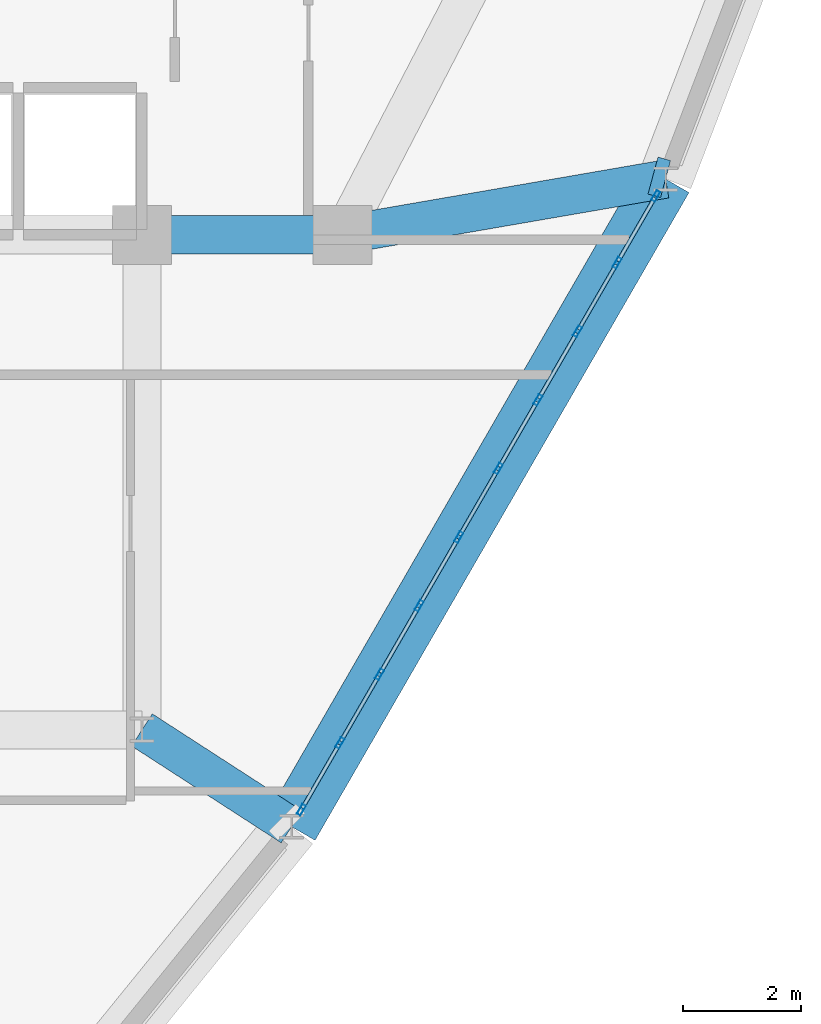
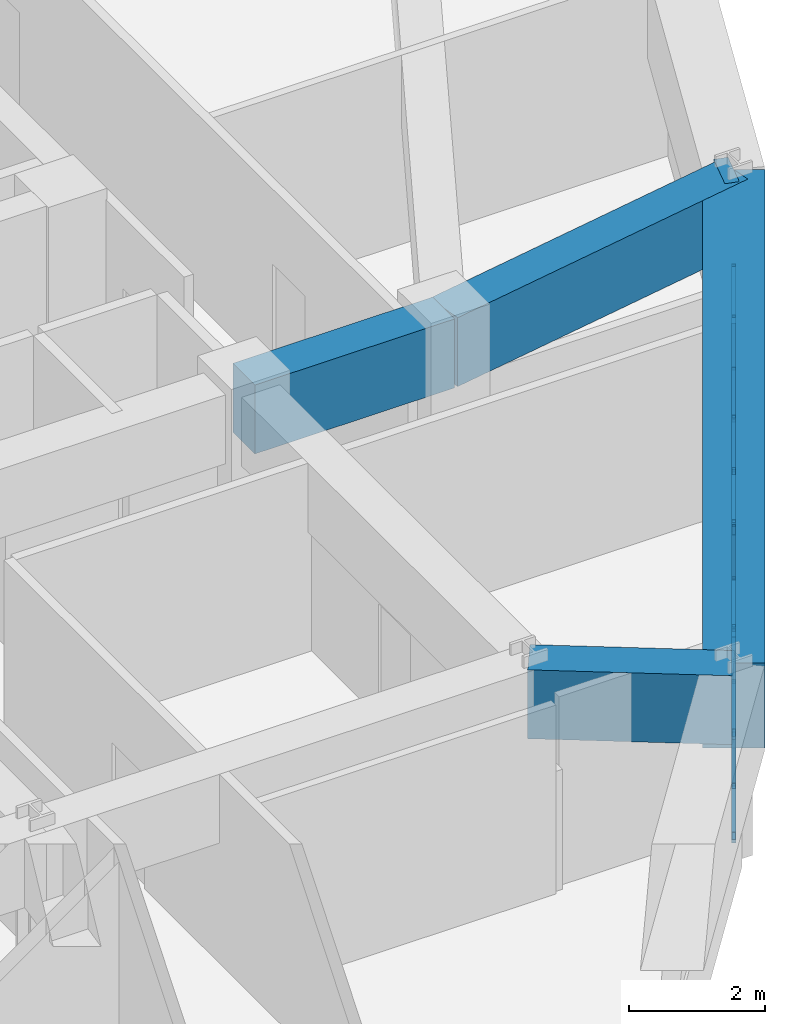
# One storey, part 6 of 14: 31 members, 5 beams, 1 element without a shape of its own.
"""IFC4 building model written with IfcOpenShell, lengths in metres."""

from ifc_helpers import new_model, si_unit, derived_unit, direction, frame, origin, origin_2d, place, context, subcontext, project, spatial, rectangle, hollow_rectangle, extrude, source, transform, mapped, material, layer, layer_set, material_profile, profile_set, type_object, element, aggregate, save


model = new_model("IFC4")

# Units and contexts
model_context = context("Model", 3, precision=1e-05, world=origin(), true_north=direction((0.0, 1.0)))
body_context = subcontext(model_context, "Body", "Model", "MODEL_VIEW")
ifc_project = project(units=[si_unit("LENGTHUNIT", "METRE"), si_unit("AREAUNIT", "SQUARE_METRE"), si_unit("VOLUMEUNIT", "CUBIC_METRE"), si_unit("PLANEANGLEUNIT", "RADIAN"), si_unit("MASSUNIT", "GRAM", prefix="KILO"), derived_unit("THERMALTRANSMITTANCEUNIT", [(si_unit("POWERUNIT", "WATT"), 1), (si_unit("LENGTHUNIT", "METRE"), -2), (si_unit("THERMODYNAMICTEMPERATUREUNIT", "KELVIN"), -1)])], contexts=[model_context])

# Site, building, storey
site_placement = place(None, origin())
site = spatial("IfcSite", under=ifc_project, at=site_placement, CompositionType="ELEMENT")
building_placement = place(site_placement, origin())
building = spatial("IfcBuilding", under=site, at=building_placement, Name="Korsvarv Bourse and Concert Hall", CompositionType="ELEMENT")
storey_placement = place(building_placement, frame((0.0, 0.0, 175.800048828125)))
storey = spatial("IfcBuildingStorey", under=building, at=storey_placement, Name="L45", CompositionType="ELEMENT", Elevation=175.800048828125)

# Beams
ifc_material_1 = material(Name="Concrete C50/60", Category="concrete")
ifc_material_profile_1 = material_profile(ifc_material_1, rectangle(XDim=0.64990234375, YDim=1.239990234375, at=origin_2d()), Name="RC-BM 650x1240")
ifc_profile_set_1 = profile_set([ifc_material_profile_1], Name="Concrete C50/60")
beam_type_1 = type_object("IfcBeamType", Name="BM-TR-SPN", PredefinedType="BEAM", material=ifc_profile_set_1)
shared_shape_1 = source(origin(), body_context, "Body", "SweptSolid", [
    extrude(rectangle(XDim=0.64990234375, YDim=1.239990234375, at=origin_2d()), origin(), (0.0, 0.0, 1.0), 3.400146484375),
])
beam_1_placement = place(storey_placement, frame((44.39990234375, 32.39990234375, 2.780029296875), z_axis=(1.0, 0.0, 0.0), x_axis=(0.0, 1.0, 0.0)))
element("IfcBeam", 1, at=beam_1_placement, inside=storey, type_object=beam_type_1, Name="L45 beam B-TRS", PredefinedType="BEAM", context=body_context, shape_type="MappedRepresentation", body=[
    mapped(shared_shape_1, transform((0.0, 0.0, 0.0), scale=1.0)),
])
ifc_material_profile_2 = material_profile(ifc_material_1, rectangle(XDim=0.919921875, YDim=1.530029296875, at=origin_2d()), Name="RC-BM 920x1530")
ifc_profile_set_2 = profile_set([ifc_material_profile_2], Name="Concrete C50/60")
beam_type_2 = type_object("IfcBeamType", Name="BM-TR-154", PredefinedType="BEAM", material=ifc_profile_set_2)
shared_shape_2 = source(origin(), body_context, "Body", "SweptSolid", [
    extrude(rectangle(XDim=0.919921875, YDim=1.530029296875, at=origin_2d()), origin(), (0.0, 0.0, 1.0), 12.692138671875),
])
beam_2_placement = place(storey_placement, frame((46.939697265625, 22.356201171875, 2.635009765625), z_axis=(0.499993308569, 0.866029267049, 0.0), x_axis=(-0.866029267049, 0.499993308569, 0.0)))
element("IfcBeam", 2, at=beam_2_placement, inside=storey, type_object=beam_type_2, Name="L45 beam B-TR6", PredefinedType="BEAM", context=body_context, shape_type="MappedRepresentation", body=[
    mapped(shared_shape_2, transform((0.0, 0.0, 0.0), scale=1.0)),
])
shared_shape_3 = source(origin(), body_context, "Body", "SweptSolid", [
    extrude(rectangle(XDim=0.64990234375, YDim=1.239990234375, at=origin_2d()), origin(), (0.0, 0.0, 1.0), 5.56689453125),
])
beam_3_placement = place(storey_placement, frame((53.28564453125, 33.347900390625, 2.780029296875), z_axis=(-0.985393700019, -0.170291679077, 0.0), x_axis=(0.170291679077, -0.985393700019, 0.0)))
element("IfcBeam", 3, at=beam_3_placement, inside=storey, type_object=beam_type_1, Name="L45 beam B-TRS", PredefinedType="BEAM", context=body_context, shape_type="MappedRepresentation", body=[
    mapped(shared_shape_3, transform((0.0, 0.0, 0.0), scale=1.0)),
])
shared_shape_4 = source(origin(), body_context, "Body", "SweptSolid", [
    extrude(rectangle(XDim=0.64990234375, YDim=1.239990234375, at=origin_2d()), origin(), (0.0, 0.0, 1.0), 3.025390625),
])
beam_4_placement = place(storey_placement, frame((46.939697265625, 22.356201171875, 2.780029296875), z_axis=(-0.839509529418, 0.543344964104, 0.0), x_axis=(-0.543344964104, -0.839509529418, 0.0)))
element("IfcBeam", 4, at=beam_4_placement, inside=storey, type_object=beam_type_1, Name="L45 beam B-TRS", PredefinedType="BEAM", context=body_context, shape_type="MappedRepresentation", body=[
    mapped(shared_shape_4, transform((0.0, 0.0, 0.0), scale=1.0)),
])
shared_shape_5 = source(origin(), body_context, "Body", "SweptSolid", [
    extrude(rectangle(XDim=0.64990234375, YDim=1.239990234375, at=origin_2d()), origin(), (0.0, 0.0, 1.0), 0.220703125),
])
beam_5_placement = place(storey_placement, frame((53.28564453125, 33.347900390625, 2.780029296875), z_axis=(-0.965348336517, 0.260964727856, 0.0), x_axis=(-0.260964727856, -0.965348336517, 0.0)))
element("IfcBeam", 5, at=beam_5_placement, inside=storey, type_object=beam_type_1, Name="L45 beam B-TRS", PredefinedType="BEAM", context=body_context, shape_type="MappedRepresentation", body=[
    mapped(shared_shape_5, transform((0.0, 0.0, 0.0), scale=1.0)),
])

# Curtain wall, members
ifc_material_2 = material(Name="Anodised aluminium and triple low-E glazing", Category="glass")
ifc_layer = layer(ifc_material_2, 0.199951171875)
ifc_layer_set = layer_set([ifc_layer], Name="Anodised aluminium and triple low-E glazing")
curtain_wall_type = type_object("IfcCurtainWallType", Name="CW-SYS-3", PredefinedType="NOTDEFINED", material=ifc_layer_set)
curtain_wall_placement = place(storey_placement, origin())
curtain_wall = element("IfcCurtainWall", 6, at=curtain_wall_placement, inside=storey, type_object=curtain_wall_type, Name="L45 CW3 curtain wall CW-L45-F11", PredefinedType="NOTDEFINED")
ifc_material_3 = material(Name="Extruded aluminium EN AW-6063 T66", Category="aluminium")
ifc_material_profile_3 = material_profile(ifc_material_3, hollow_rectangle(XDim=0.070068359375, YDim=0.18994140625, WallThickness=0.0048828125, at=origin_2d()), Name="ALU-M 70x190")
ifc_profile_set_3 = profile_set([ifc_material_profile_3], Name="Extruded aluminium EN AW-6063 T66")
member_type_1 = type_object("IfcMemberType", Name="CWM-190", PredefinedType="MULLION", material=ifc_profile_set_3)
shared_shape_6 = source(origin(), body_context, "Body", "SweptSolid", [
    extrude(hollow_rectangle(XDim=0.070068359375, YDim=0.18994140625, WallThickness=0.0048828125, at=origin_2d()), origin(), (0.0, 0.0, 1.0), 1.869873046875),
])
member_1_placement = place(storey_placement, frame((47.106201171875, 22.64453125, 0.0), z_axis=(0.0, 0.0, 1.0), x_axis=(-0.866028642731, 0.499994389938, 0.0)))
member_1 = element("IfcMember", 7, at=member_1_placement, type_object=member_type_1, Name="CW3 mullion 1", PredefinedType="MULLION", context=body_context, shape_type="MappedRepresentation", body=[
    mapped(shared_shape_6, transform((0.0, 0.0, 0.0), scale=1.0)),
])
member_2_placement = place(storey_placement, frame((47.760498046875, 23.7783203125, 0.0), z_axis=(0.0, 0.0, 1.0), x_axis=(-0.866028642731, 0.499994389938, 0.0)))
member_2 = element("IfcMember", 8, at=member_2_placement, type_object=member_type_1, Name="CW3 mullion 2", PredefinedType="MULLION", context=body_context, shape_type="MappedRepresentation", body=[
    mapped(shared_shape_6, transform((0.0, 0.0, 0.0), scale=1.0)),
])
member_3_placement = place(storey_placement, frame((48.4326171875, 24.942138671875, 0.0), z_axis=(0.0, 0.0, 1.0), x_axis=(-0.866028642731, 0.499994389938, 0.0)))
member_3 = element("IfcMember", 9, at=member_3_placement, type_object=member_type_1, Name="CW3 mullion 3", PredefinedType="MULLION", context=body_context, shape_type="MappedRepresentation", body=[
    mapped(shared_shape_6, transform((0.0, 0.0, 0.0), scale=1.0)),
])
member_4_placement = place(storey_placement, frame((49.1044921875, 26.106201171875, 0.0), z_axis=(0.0, 0.0, 1.0), x_axis=(-0.866028642731, 0.499994389938, 0.0)))
member_4 = element("IfcMember", 10, at=member_4_placement, type_object=member_type_1, Name="CW3 mullion 4", PredefinedType="MULLION", context=body_context, shape_type="MappedRepresentation", body=[
    mapped(shared_shape_6, transform((0.0, 0.0, 0.0), scale=1.0)),
])
member_5_placement = place(storey_placement, frame((49.776611328125, 27.27001953125, 0.0), z_axis=(0.0, 0.0, 1.0), x_axis=(-0.866028642731, 0.499994389938, 0.0)))
member_5 = element("IfcMember", 11, at=member_5_placement, type_object=member_type_1, Name="CW3 mullion 5", PredefinedType="MULLION", context=body_context, shape_type="MappedRepresentation", body=[
    mapped(shared_shape_6, transform((0.0, 0.0, 0.0), scale=1.0)),
])
member_6_placement = place(storey_placement, frame((50.448486328125, 28.43408203125, 0.0), z_axis=(0.0, 0.0, 1.0), x_axis=(-0.866028642731, 0.499994389938, 0.0)))
member_6 = element("IfcMember", 12, at=member_6_placement, type_object=member_type_1, Name="CW3 mullion 6", PredefinedType="MULLION", context=body_context, shape_type="MappedRepresentation", body=[
    mapped(shared_shape_6, transform((0.0, 0.0, 0.0), scale=1.0)),
])
member_7_placement = place(storey_placement, frame((51.12060546875, 29.59814453125, 0.0), z_axis=(0.0, 0.0, 1.0), x_axis=(-0.866028642731, 0.499994389938, 0.0)))
member_7 = element("IfcMember", 13, at=member_7_placement, type_object=member_type_1, Name="CW3 mullion 7", PredefinedType="MULLION", context=body_context, shape_type="MappedRepresentation", body=[
    mapped(shared_shape_6, transform((0.0, 0.0, 0.0), scale=1.0)),
])
member_8_placement = place(storey_placement, frame((51.79248046875, 30.761962890625, 0.0), z_axis=(0.0, 0.0, 1.0), x_axis=(-0.866028642731, 0.499994389938, 0.0)))
member_8 = element("IfcMember", 14, at=member_8_placement, type_object=member_type_1, Name="CW3 mullion 8", PredefinedType="MULLION", context=body_context, shape_type="MappedRepresentation", body=[
    mapped(shared_shape_6, transform((0.0, 0.0, 0.0), scale=1.0)),
])
member_9_placement = place(storey_placement, frame((52.464599609375, 31.926025390625, 0.0), z_axis=(0.0, 0.0, 1.0), x_axis=(-0.866028642731, 0.499994389938, 0.0)))
member_9 = element("IfcMember", 15, at=member_9_placement, type_object=member_type_1, Name="CW3 mullion 9", PredefinedType="MULLION", context=body_context, shape_type="MappedRepresentation", body=[
    mapped(shared_shape_6, transform((0.0, 0.0, 0.0), scale=1.0)),
])
member_10_placement = place(storey_placement, frame((53.119140625, 33.0595703125, 0.0), z_axis=(0.0, 0.0, 1.0), x_axis=(-0.866028642731, 0.499994389938, 0.0)))
member_10 = element("IfcMember", 16, at=member_10_placement, type_object=member_type_1, Name="CW3 mullion 10", PredefinedType="MULLION", context=body_context, shape_type="MappedRepresentation", body=[
    mapped(shared_shape_6, transform((0.0, 0.0, 0.0), scale=1.0)),
])
ifc_material_profile_4 = material_profile(ifc_material_3, hollow_rectangle(XDim=0.06494140625, YDim=0.139892578125, WallThickness=0.00390625, at=origin_2d()), Name="ALU-T 65x140")
ifc_profile_set_4 = profile_set([ifc_material_profile_4], Name="Extruded aluminium EN AW-6063 T66")
member_type_2 = type_object("IfcMemberType", Name="CWT-140", PredefinedType="USERDEFINED", material=ifc_profile_set_4)
shared_shape_7 = source(origin(), body_context, "Body", "SweptSolid", [
    extrude(hollow_rectangle(XDim=0.06494140625, YDim=0.139892578125, WallThickness=0.00390625, at=origin_2d()), origin(), (0.0, 0.0, 1.0), 1.239013671875),
])
member_11_placement = place(storey_placement, frame((52.482177734375, 31.956298828125, 0.032470703125), z_axis=(0.499932836684, 0.86606417707, 0.0), x_axis=(-0.86606417707, 0.499932836684, 0.0)))
member_11 = element("IfcMember", 17, at=member_11_placement, type_object=member_type_2, Name="CW3 transom 9.1", ObjectType="TRANSOM", PredefinedType="USERDEFINED", context=body_context, shape_type="MappedRepresentation", body=[
    mapped(shared_shape_7, transform((0.0, 0.0, 0.0), scale=1.0)),
])
member_12_placement = place(storey_placement, frame((52.482177734375, 31.956298828125, 1.83740234375), z_axis=(0.499932836684, 0.86606417707, 0.0), x_axis=(-0.86606417707, 0.499932836684, 0.0)))
member_12 = element("IfcMember", 18, at=member_12_placement, type_object=member_type_2, Name="CW3 transom 9.2", ObjectType="TRANSOM", PredefinedType="USERDEFINED", context=body_context, shape_type="MappedRepresentation", body=[
    mapped(shared_shape_7, transform((0.0, 0.0, 0.0), scale=1.0)),
])
shared_shape_8 = source(origin(), body_context, "Body", "SweptSolid", [
    extrude(hollow_rectangle(XDim=0.06494140625, YDim=0.139892578125, WallThickness=0.00390625, at=origin_2d()), origin(), (0.0, 0.0, 1.0), 1.274169921875),
])
member_13_placement = place(storey_placement, frame((48.4501953125, 24.972412109375, 0.032470703125), z_axis=(0.499910436417, 0.866077107169, 0.0), x_axis=(-0.866077107169, 0.499910436417, 0.0)))
member_13 = element("IfcMember", 19, at=member_13_placement, type_object=member_type_2, Name="CW3 transom 3.1", ObjectType="TRANSOM", PredefinedType="USERDEFINED", context=body_context, shape_type="MappedRepresentation", body=[
    mapped(shared_shape_8, transform((0.0, 0.0, 0.0), scale=1.0)),
])
member_14_placement = place(storey_placement, frame((48.4501953125, 24.972412109375, 1.83740234375), z_axis=(0.499910436417, 0.866077107169, 0.0), x_axis=(-0.866077107169, 0.499910436417, 0.0)))
member_14 = element("IfcMember", 20, at=member_14_placement, type_object=member_type_2, Name="CW3 transom 3.2", ObjectType="TRANSOM", PredefinedType="USERDEFINED", context=body_context, shape_type="MappedRepresentation", body=[
    mapped(shared_shape_8, transform((0.0, 0.0, 0.0), scale=1.0)),
])
member_15_placement = place(storey_placement, frame((51.81005859375, 30.792236328125, 0.032470703125), z_axis=(0.499910436417, 0.866077107169, 0.0), x_axis=(-0.866077107169, 0.499910436417, 0.0)))
member_15 = element("IfcMember", 21, at=member_15_placement, type_object=member_type_2, Name="CW3 transom 8.1", ObjectType="TRANSOM", PredefinedType="USERDEFINED", context=body_context, shape_type="MappedRepresentation", body=[
    mapped(shared_shape_8, transform((0.0, 0.0, 0.0), scale=1.0)),
])
member_16_placement = place(storey_placement, frame((51.81005859375, 30.792236328125, 1.83740234375), z_axis=(0.499910436417, 0.866077107169, 0.0), x_axis=(-0.866077107169, 0.499910436417, 0.0)))
member_16 = element("IfcMember", 22, at=member_16_placement, type_object=member_type_2, Name="CW3 transom 8.2", ObjectType="TRANSOM", PredefinedType="USERDEFINED", context=body_context, shape_type="MappedRepresentation", body=[
    mapped(shared_shape_8, transform((0.0, 0.0, 0.0), scale=1.0)),
])
ifc_material_profile_5 = material_profile(ifc_material_3, hollow_rectangle(XDim=0.06494140625, YDim=0.1650390625, WallThickness=0.0048828125, at=origin_2d()), Name="ALU-M 65x165")
ifc_profile_set_5 = profile_set([ifc_material_profile_5], Name="Extruded aluminium EN AW-6063 T66")
member_type_3 = type_object("IfcMemberType", Name="CWM-165", PredefinedType="MULLION", material=ifc_profile_set_5)
shared_shape_9 = source(origin(), body_context, "Body", "SweptSolid", [
    extrude(hollow_rectangle(XDim=0.06494140625, YDim=0.1650390625, WallThickness=0.0048828125, at=origin_2d()), origin(), (0.0, 0.0, 1.0), 2.15673828125),
])
member_17_placement = place(storey_placement, frame((51.81005859375, 30.792236328125, 0.06494140625), z_axis=(0.295351616282, 0.511686203754, 0.806811410211), x_axis=(-0.866077107169, 0.499910436417, 0.0)))
member_17 = element("IfcMember", 23, at=member_17_placement, type_object=member_type_3, Name="CW3 diagonal mullion 8", PredefinedType="MULLION", context=body_context, shape_type="MappedRepresentation", body=[
    mapped(shared_shape_9, transform((0.0, 0.0, 0.0), scale=1.0)),
])
shared_shape_10 = source(origin(), body_context, "Body", "SweptSolid", [
    extrude(hollow_rectangle(XDim=0.06494140625, YDim=0.139892578125, WallThickness=0.00390625, at=origin_2d()), origin(), (0.0, 0.0, 1.0), 1.27392578125),
])
member_18_placement = place(storey_placement, frame((47.778076171875, 23.80859375, 0.032470703125), z_axis=(0.499993407537, 0.866029209911, 0.0), x_axis=(-0.866029209911, 0.499993407537, 0.0)))
member_18 = element("IfcMember", 24, at=member_18_placement, type_object=member_type_2, Name="CW3 transom 2.1", ObjectType="TRANSOM", PredefinedType="USERDEFINED", context=body_context, shape_type="MappedRepresentation", body=[
    mapped(shared_shape_10, transform((0.0, 0.0, 0.0), scale=1.0)),
])
member_19_placement = place(storey_placement, frame((47.778076171875, 23.80859375, 1.83740234375), z_axis=(0.499993407537, 0.866029209911, 0.0), x_axis=(-0.866029209911, 0.499993407537, 0.0)))
member_19 = element("IfcMember", 25, at=member_19_placement, type_object=member_type_2, Name="CW3 transom 2.2", ObjectType="TRANSOM", PredefinedType="USERDEFINED", context=body_context, shape_type="MappedRepresentation", body=[
    mapped(shared_shape_10, transform((0.0, 0.0, 0.0), scale=1.0)),
])
member_20_placement = place(storey_placement, frame((49.1220703125, 26.136474609375, 0.032470703125), z_axis=(0.499993407537, 0.866029209911, 0.0), x_axis=(-0.866029209911, 0.499993407537, 0.0)))
member_20 = element("IfcMember", 26, at=member_20_placement, type_object=member_type_2, Name="CW3 transom 4.1", ObjectType="TRANSOM", PredefinedType="USERDEFINED", context=body_context, shape_type="MappedRepresentation", body=[
    mapped(shared_shape_10, transform((0.0, 0.0, 0.0), scale=1.0)),
])
member_21_placement = place(storey_placement, frame((49.1220703125, 26.136474609375, 1.83740234375), z_axis=(0.499993407537, 0.866029209911, 0.0), x_axis=(-0.866029209911, 0.499993407537, 0.0)))
member_21 = element("IfcMember", 27, at=member_21_placement, type_object=member_type_2, Name="CW3 transom 4.2", ObjectType="TRANSOM", PredefinedType="USERDEFINED", context=body_context, shape_type="MappedRepresentation", body=[
    mapped(shared_shape_10, transform((0.0, 0.0, 0.0), scale=1.0)),
])
member_22_placement = place(storey_placement, frame((49.794189453125, 27.300537109375, 0.032470703125), z_axis=(0.499993407537, 0.866029209911, 0.0), x_axis=(-0.866029209911, 0.499993407537, 0.0)))
member_22 = element("IfcMember", 28, at=member_22_placement, type_object=member_type_2, Name="CW3 transom 5.1", ObjectType="TRANSOM", PredefinedType="USERDEFINED", context=body_context, shape_type="MappedRepresentation", body=[
    mapped(shared_shape_10, transform((0.0, 0.0, 0.0), scale=1.0)),
])
member_23_placement = place(storey_placement, frame((49.794189453125, 27.300537109375, 1.83740234375), z_axis=(0.499993407537, 0.866029209911, 0.0), x_axis=(-0.866029209911, 0.499993407537, 0.0)))
member_23 = element("IfcMember", 29, at=member_23_placement, type_object=member_type_2, Name="CW3 transom 5.2", ObjectType="TRANSOM", PredefinedType="USERDEFINED", context=body_context, shape_type="MappedRepresentation", body=[
    mapped(shared_shape_10, transform((0.0, 0.0, 0.0), scale=1.0)),
])
member_24_placement = place(storey_placement, frame((50.466064453125, 28.46435546875, 0.032470703125), z_axis=(0.499993407537, 0.866029209911, 0.0), x_axis=(-0.866029209911, 0.499993407537, 0.0)))
member_24 = element("IfcMember", 30, at=member_24_placement, type_object=member_type_2, Name="CW3 transom 6.1", ObjectType="TRANSOM", PredefinedType="USERDEFINED", context=body_context, shape_type="MappedRepresentation", body=[
    mapped(shared_shape_10, transform((0.0, 0.0, 0.0), scale=1.0)),
])
member_25_placement = place(storey_placement, frame((50.466064453125, 28.46435546875, 1.83740234375), z_axis=(0.499993407537, 0.866029209911, 0.0), x_axis=(-0.866029209911, 0.499993407537, 0.0)))
member_25 = element("IfcMember", 31, at=member_25_placement, type_object=member_type_2, Name="CW3 transom 6.2", ObjectType="TRANSOM", PredefinedType="USERDEFINED", context=body_context, shape_type="MappedRepresentation", body=[
    mapped(shared_shape_10, transform((0.0, 0.0, 0.0), scale=1.0)),
])
member_26_placement = place(storey_placement, frame((51.13818359375, 29.62841796875, 0.032470703125), z_axis=(0.499993407537, 0.866029209911, 0.0), x_axis=(-0.866029209911, 0.499993407537, 0.0)))
member_26 = element("IfcMember", 32, at=member_26_placement, type_object=member_type_2, Name="CW3 transom 7.1", ObjectType="TRANSOM", PredefinedType="USERDEFINED", context=body_context, shape_type="MappedRepresentation", body=[
    mapped(shared_shape_10, transform((0.0, 0.0, 0.0), scale=1.0)),
])
member_27_placement = place(storey_placement, frame((51.13818359375, 29.62841796875, 1.83740234375), z_axis=(0.499993407537, 0.866029209911, 0.0), x_axis=(-0.866029209911, 0.499993407537, 0.0)))
member_27 = element("IfcMember", 33, at=member_27_placement, type_object=member_type_2, Name="CW3 transom 7.2", ObjectType="TRANSOM", PredefinedType="USERDEFINED", context=body_context, shape_type="MappedRepresentation", body=[
    mapped(shared_shape_10, transform((0.0, 0.0, 0.0), scale=1.0)),
])
shared_shape_11 = source(origin(), body_context, "Body", "SweptSolid", [
    extrude(hollow_rectangle(XDim=0.06494140625, YDim=0.1650390625, WallThickness=0.0048828125, at=origin_2d()), origin(), (0.0, 0.0, 1.0), 2.156494140625),
])
member_28_placement = place(storey_placement, frame((47.778076171875, 23.80859375, 0.06494140625), z_axis=(0.295368724234, 0.511602631205, 0.806858143969), x_axis=(-0.866029209911, 0.499993407537, 0.0)))
member_28 = element("IfcMember", 34, at=member_28_placement, type_object=member_type_3, Name="CW3 diagonal mullion 2", PredefinedType="MULLION", context=body_context, shape_type="MappedRepresentation", body=[
    mapped(shared_shape_11, transform((0.0, 0.0, 0.0), scale=1.0)),
])
member_29_placement = place(storey_placement, frame((50.43115234375, 28.40380859375, 0.06494140625), z_axis=(-0.295368724234, -0.511602631205, 0.806858143969), x_axis=(0.866029209911, -0.499993407537, 0.0)))
member_29 = element("IfcMember", 35, at=member_29_placement, type_object=member_type_3, Name="CW3 diagonal mullion 5", PredefinedType="MULLION", context=body_context, shape_type="MappedRepresentation", body=[
    mapped(shared_shape_11, transform((0.0, 0.0, 0.0), scale=1.0)),
])
shared_shape_12 = source(origin(), body_context, "Body", "SweptSolid", [
    extrude(hollow_rectangle(XDim=0.06494140625, YDim=0.139892578125, WallThickness=0.00390625, at=origin_2d()), origin(), (0.0, 0.0, 1.0), 1.2392578125),
])
member_30_placement = place(storey_placement, frame((47.12353515625, 22.6748046875, 0.032470703125), z_axis=(0.499995303914, 0.866028115054, 0.0), x_axis=(-0.866028115054, 0.499995303914, 0.0)))
member_30 = element("IfcMember", 36, at=member_30_placement, type_object=member_type_2, Name="CW3 transom 1.1", ObjectType="TRANSOM", PredefinedType="USERDEFINED", context=body_context, shape_type="MappedRepresentation", body=[
    mapped(shared_shape_12, transform((0.0, 0.0, 0.0), scale=1.0)),
])
member_31_placement = place(storey_placement, frame((47.12353515625, 22.6748046875, 1.83740234375), z_axis=(0.499995303914, 0.866028115054, 0.0), x_axis=(-0.866028115054, 0.499995303914, 0.0)))
member_31 = element("IfcMember", 37, at=member_31_placement, type_object=member_type_2, Name="CW3 transom 1.2", ObjectType="TRANSOM", PredefinedType="USERDEFINED", context=body_context, shape_type="MappedRepresentation", body=[
    mapped(shared_shape_12, transform((0.0, 0.0, 0.0), scale=1.0)),
])
aggregate(curtain_wall, [member_1, member_2, member_3, member_4, member_5, member_6, member_7, member_8, member_9, member_10, member_30, member_31, member_18, member_19, member_28, member_13, member_14, member_20, member_21, member_22, member_23, member_29, member_24, member_25, member_26, member_27, member_15, member_16, member_17, member_11, member_12])

save(model, "model.ifc")
